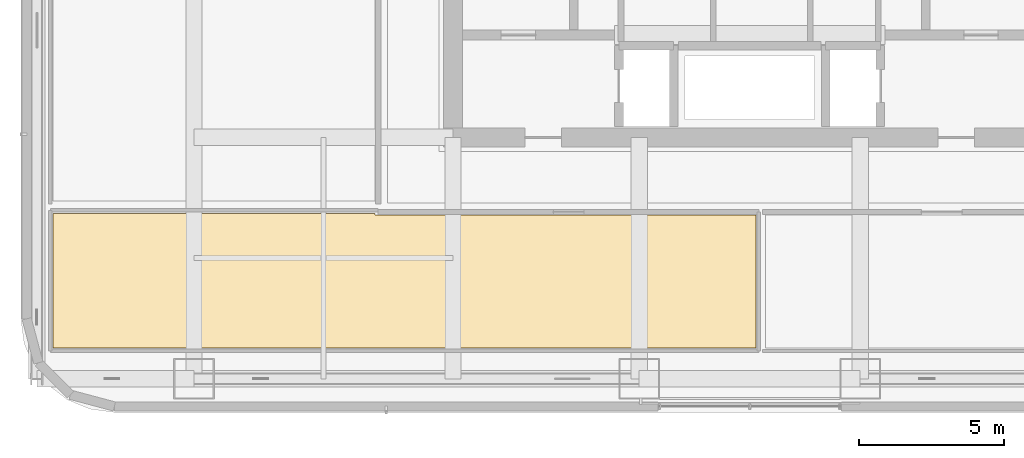
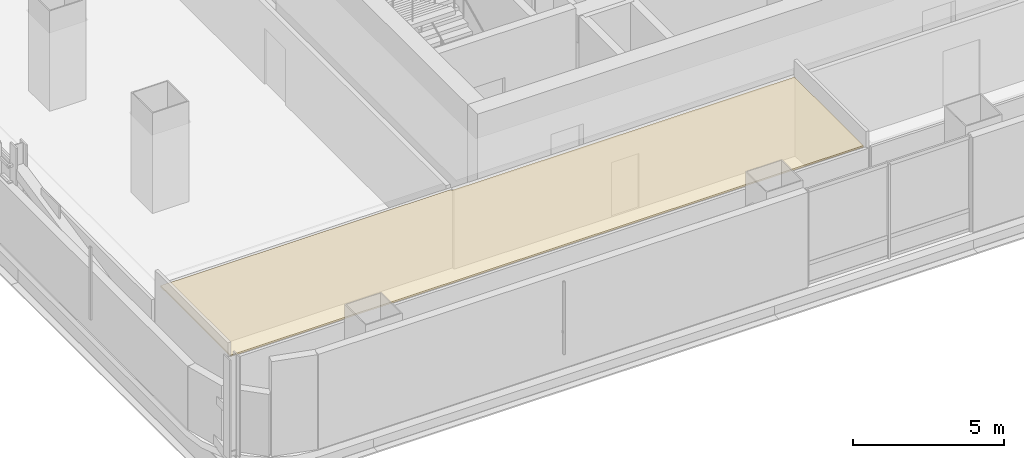
# One storey, part 19 of 32: 1 covering.
"""IFC4 building model written with IfcOpenShell, lengths in metres."""

from ifc_helpers import new_model, si_unit, direction, frame, origin, place, context, subcontext, project, spatial, polyline, outline, extrude, material, layer, layer_set, type_object, element, save


model = new_model("IFC4")

# Units and contexts
model_context = context("Model", 3, precision=1e-05, world=origin(), true_north=direction((0.0, 1.0)))
body_context = subcontext(model_context, "Body", "Model", "MODEL_VIEW")
ifc_project = project(units=[si_unit("LENGTHUNIT", "METRE"), si_unit("AREAUNIT", "SQUARE_METRE"), si_unit("VOLUMEUNIT", "CUBIC_METRE"), si_unit("PLANEANGLEUNIT", "RADIAN"), si_unit("MASSUNIT", "GRAM", prefix="KILO")], contexts=[model_context])

# Site, building, storey
site_placement = place(None, origin())
site = spatial("IfcSite", under=ifc_project, at=site_placement, CompositionType="ELEMENT")
building_placement = place(site_placement, origin())
building = spatial("IfcBuilding", under=site, at=building_placement, Name="Punatoya Terracotta Tower", CompositionType="ELEMENT")
storey_placement = place(building_placement, frame((0.0, 0.0, 139.800048828125)))
storey = spatial("IfcBuildingStorey", under=building, at=storey_placement, Name="L32", CompositionType="ELEMENT", Elevation=139.800048828125)

# Covering
ifc_material = material(Name="Acoustic Mineral Fibre Ceiling")
ifc_layer = layer(ifc_material, 0.06005859375)
ifc_layer_set = layer_set([ifc_layer], Name="Acoustic Mineral Fibre Ceiling")
covering_type = type_object("IfcCoveringType", Name="COV-CEIL-60", PredefinedType="CEILING", material=ifc_layer_set)
covering_placement = place(storey_placement, frame((0.0, 0.0, 3.159912109375)))
element("IfcCovering", 1, at=covering_placement, inside=storey, type_object=covering_type, Name="L32 Client Media Salon Acoustic Ceiling", PredefinedType="CEILING", context=body_context, shape_type="SweptSolid", body=[
    extrude(outline(polyline([(-12.8701171875, -11.8701171875), (-12.8701171875, -11.81005859375), (-23.93994140625, -11.81005859375), (-23.93994140625, -16.43994140625), (0.218017578125, -16.43994140625), (0.218017578125, -11.8701171875), (-12.8701171875, -11.8701171875)])), origin(), (0.0, 0.0, 1.0), 0.06005859375),
])

save(model, "model.ifc")
